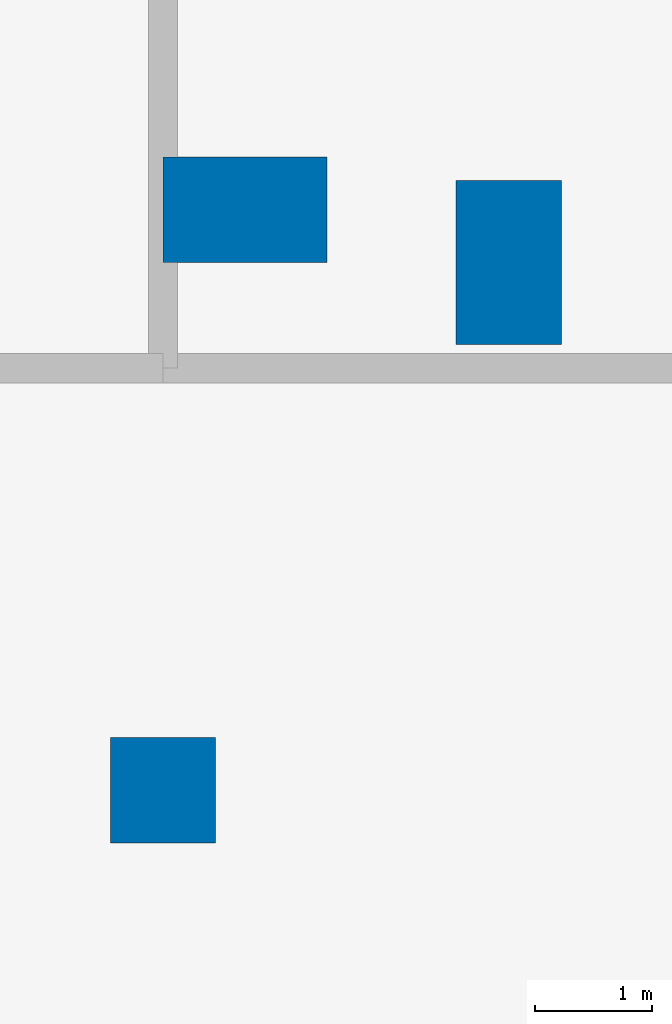
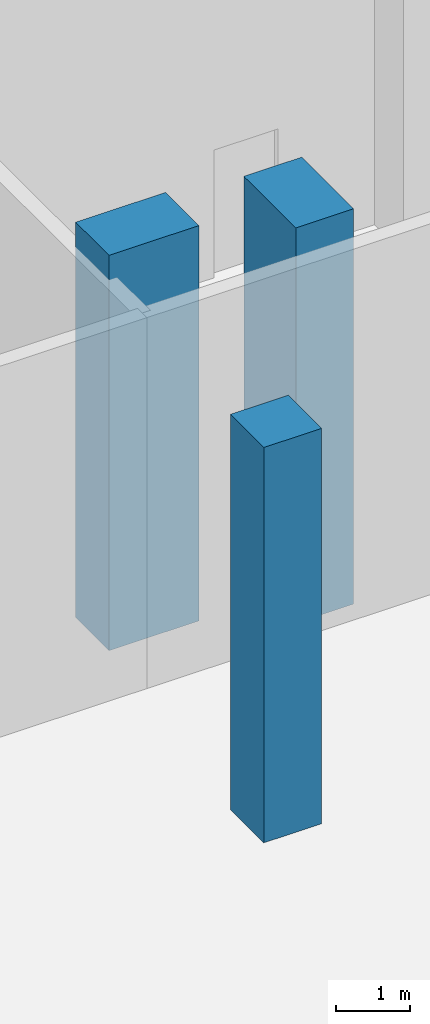
# One storey, part 7 of 39: 3 columns.
"""IFC4 building model written with IfcOpenShell, lengths in metres."""

from ifc_helpers import new_model, si_unit, direction, frame, origin, origin_2d, place, context, subcontext, project, spatial, rectangle, extrude, material, material_profile, profile_set, type_object, element, save


model = new_model("IFC4")

# Units and contexts
model_context = context("Model", 3, precision=1e-05, world=origin(), true_north=direction((0.0, 1.0)))
body_context = subcontext(model_context, "Body", "Model", "MODEL_VIEW")
ifc_project = project(units=[si_unit("LENGTHUNIT", "METRE"), si_unit("AREAUNIT", "SQUARE_METRE"), si_unit("VOLUMEUNIT", "CUBIC_METRE"), si_unit("PLANEANGLEUNIT", "RADIAN"), si_unit("MASSUNIT", "GRAM", prefix="KILO")], contexts=[model_context])

# Site, building, storey
site_placement = place(None, origin())
site = spatial("IfcSite", under=ifc_project, at=site_placement, CompositionType="ELEMENT")
building_placement = place(site_placement, origin())
building = spatial("IfcBuilding", under=site, at=building_placement, Name="Brigalow Station Residences", CompositionType="ELEMENT")
storey_placement = place(building_placement, origin())
storey = spatial("IfcBuildingStorey", under=building, at=storey_placement, Name="L00", CompositionType="ELEMENT", Elevation=0.0)

# Columns
ifc_material_1 = material(Name="Concrete C50", Category="concrete")
ifc_material_profile_1 = material_profile(ifc_material_1, rectangle(XDim=0.89990234375, YDim=0.89990234375, at=origin_2d()), Name="RC900x900")
ifc_profile_set_1 = profile_set([ifc_material_profile_1], Name="Concrete C50")
column_type_1 = type_object("IfcColumnType", Name="COLUMN 900x900 C50", PredefinedType="COLUMN", material=ifc_profile_set_1)
column_placement = place(storey_placement, frame((0.0, 24.0, 0.0), z_axis=(0.0, 0.0, 1.0), x_axis=(1.0, 0.0, 0.0)))
element("IfcColumn", 1, at=column_placement, inside=storey, type_object=column_type_1, Name="COLUMN C0 L00", PredefinedType="COLUMN", context=body_context, shape_type="SweptSolid", body=[
    extrude(rectangle(XDim=0.89990234375, YDim=0.89990234375, at=origin_2d()), origin(), (0.0, 0.0, 1.0), 6.5),
])
ifc_material_2 = material(Name="Concrete C80", Category="concrete")
ifc_material_profile_2 = material_profile(ifc_material_2, rectangle(XDim=1.39990234375, YDim=0.89990234375, at=origin_2d()), Name="RC1400x900")
ifc_profile_set_2 = profile_set([ifc_material_profile_2], Name="Concrete C80")
column_type_2 = type_object("IfcColumnType", Name="PIER 1400x900 C80", PredefinedType="USERDEFINED", material=ifc_profile_set_2)
for number, where, z_axis, x_axis, name in (
    (2, (0.699951171875, 28.949951171875, 0.0), (0.0, 0.0, 1.0), (1.0, 0.0, 0.0), "PIER WL1-1 L00"),
    (3, (2.949951171875, 28.5, 0.0), (0.0, 0.0, 1.0), (0.0, -1.0, 0.0), "PIER WL2-1 L00"),
):
    element("IfcColumn", number, at=place(storey_placement, frame(where, z_axis=z_axis, x_axis=x_axis)), inside=storey, type_object=column_type_2, Name=name, ObjectType="PIER", PredefinedType="USERDEFINED", context=body_context, shape_type="SweptSolid", body=[
        extrude(rectangle(XDim=1.39990234375, YDim=0.89990234375, at=origin_2d()), origin(), (0.0, 0.0, 1.0), 6.5),
    ])

save(model, "model.ifc")
